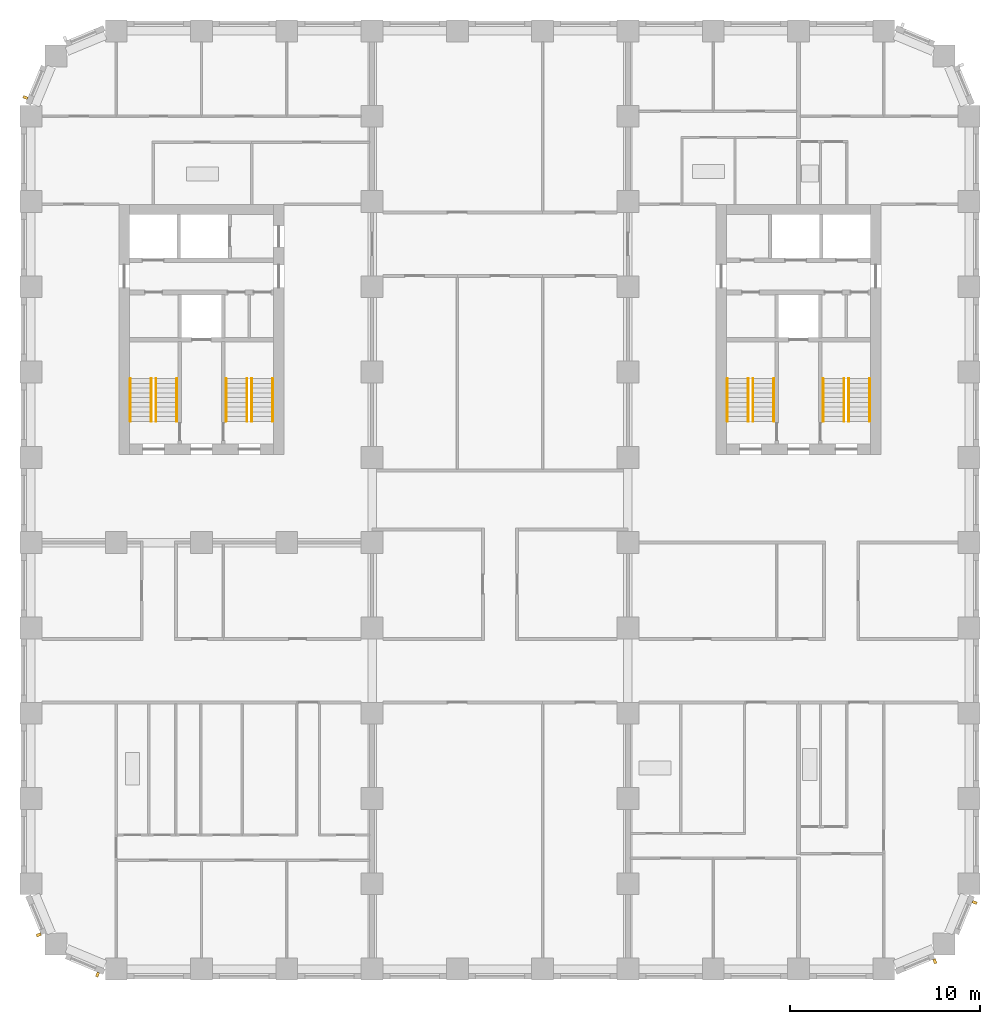
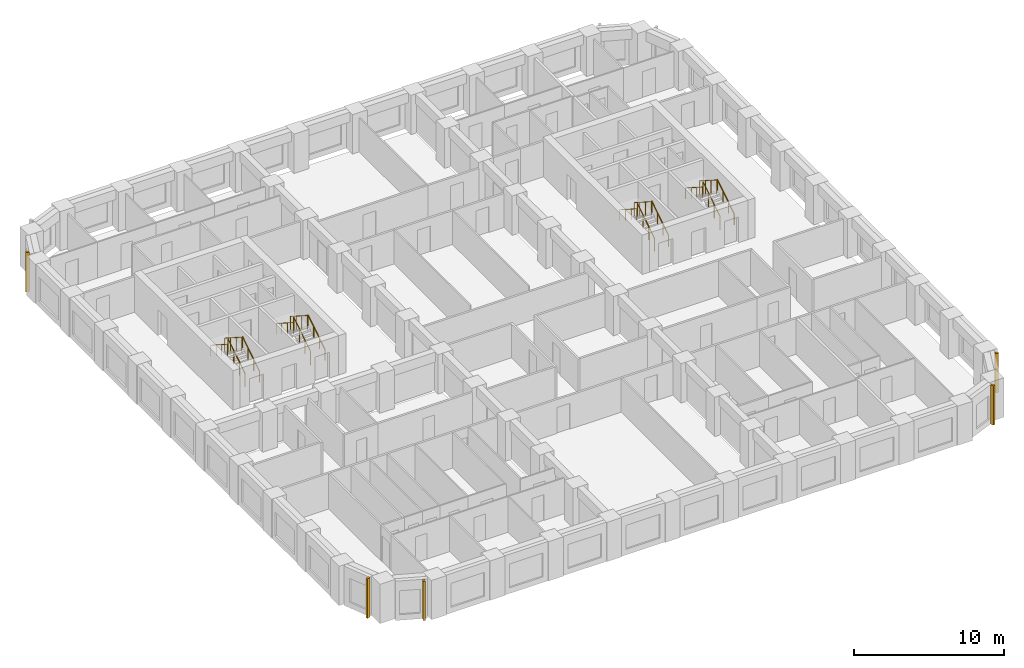
# One storey, part 11 of 13: 16 railings, 5 shading devices.
"""IFC4 building model written with IfcOpenShell, lengths in metres."""

from ifc_helpers import new_model, si_unit, direction, frame, origin, origin_2d, place, context, subcontext, project, spatial, rectangle, circle, extrude, material, type_object, element, save


model = new_model("IFC4")

# Units and contexts
model_context = context("Model", 3, precision=1e-05, world=origin(), true_north=direction((0.0, 1.0)))
body_context = subcontext(model_context, "Body", "Model", "MODEL_VIEW")
ifc_project = project(units=[si_unit("LENGTHUNIT", "METRE"), si_unit("AREAUNIT", "SQUARE_METRE"), si_unit("VOLUMEUNIT", "CUBIC_METRE"), si_unit("PLANEANGLEUNIT", "RADIAN"), si_unit("MASSUNIT", "GRAM", prefix="KILO")], contexts=[model_context])

# Site, building, storey
site_placement = place(None, origin())
site = spatial("IfcSite", under=ifc_project, at=site_placement, CompositionType="ELEMENT")
building_placement = place(site_placement, origin())
building = spatial("IfcBuilding", under=site, at=building_placement, Name="Girih Gate Residences", CompositionType="ELEMENT")
storey_placement = place(building_placement, frame((0.0, 0.0, 105.60009765625)))
storey = spatial("IfcBuildingStorey", under=building, at=storey_placement, Name="L29", CompositionType="ELEMENT", Elevation=105.60009765625)

# Shading devices
ifc_material_1 = material(Name="Precast concrete C50/60", Category="concrete")
shading_device_type = type_object("IfcShadingDeviceType", Name="Corner rib 150x250", PredefinedType="USERDEFINED", material=ifc_material_1)
for number, where, z_axis, x_axis, name in (
    (1, (0.412353515625, 1.8056640625, 0.0), (0.0, 0.0, 1.0), (0.382683432365, -0.923879532511, 0.0), "Corner rib SW0000_0045.0"),
    (2, (3.514892578125, -0.29541015625, 0.0), (0.0, 0.0, 1.0), (0.923879532511, -0.382683432365, 0.0), "Corner rib SW0013_0013.0"),
    (3, (47.6943359375, 0.412353515625, 0.0), (0.0, 0.0, 1.0), (0.923879532511, 0.382683432365, 0.0), "Corner rib SE0450_0000.0"),
    (4, (49.79541015625, 3.514892578125, 0.0), (0.0, 0.0, 1.0), (0.382683432365, 0.923879532511, 0.0), "Corner rib SE0482_0013.0"),
    (5, (-0.29541015625, 45.985107421875, 0.0), (0.0, 0.0, 1.0), (-0.382683432365, -0.923879532511, 0.0), "Corner rib NW0013_0482.0"),
):
    element("IfcShadingDevice", number, at=place(storey_placement, frame(where, z_axis=z_axis, x_axis=x_axis)), inside=storey, type_object=shading_device_type, Name=name, ObjectType="FIN", PredefinedType="USERDEFINED", context=body_context, shape_type="SweptSolid", body=[
        extrude(rectangle(XDim=0.14990234375, YDim=0.25, at=origin_2d()), origin(), (0.0, 0.0, 1.0), 3.199951171875),
    ])

# Railings
ifc_material_2 = material(Name="Stainless steel", Category="steel")
railing_type_1 = type_object("IfcRailingType", Name="Stair guard 1100", PredefinedType="GUARDRAIL", material=ifc_material_2)
railing_1_placement = place(storey_placement, frame((6.60009765625, 28.89990234375, 0.159912109375)))
element("IfcRailing", 6, at=railing_1_placement, inside=storey, type_object=railing_type_1, Name="L29 ST-W1 stair guard 1", PredefinedType="GUARDRAIL", context=body_context, shape_type="SweptSolid", body=[
    extrude(circle(Radius=0.02392578125, at=origin_2d()), frame((0.0, 0.0, 1.076171875), z_axis=(0.0, 0.842281359387, 0.539038135598), x_axis=(-1.0, 0.0, 0.0)), (0.0, 0.0, 1.0), 2.67138671875),
    extrude(circle(Radius=0.02099609375, at=origin_2d()), origin(), (0.0, 0.0, 1.0), 1.052001953125),
    extrude(circle(Radius=0.02099609375, at=origin_2d()), frame((0.0, 0.75, 0.47998046875)), (0.0, 0.0, 1.0), 1.052001953125),
    extrude(circle(Radius=0.02099609375, at=origin_2d()), frame((0.0, 1.5, 0.9599609375)), (0.0, 0.0, 1.0), 1.052001953125),
    extrude(circle(Radius=0.02099609375, at=origin_2d()), frame((0.0, 2.25, 1.43994140625)), (0.0, 0.0, 1.0), 1.052001953125),
])
railing_2_placement = place(storey_placement, frame((6.35009765625, 31.14990234375, 1.760009765625)))
element("IfcRailing", 7, at=railing_2_placement, inside=storey, type_object=railing_type_1, Name="L29 ST-W1 stair guard 2", PredefinedType="GUARDRAIL", context=body_context, shape_type="SweptSolid", body=[
    extrude(circle(Radius=0.02392578125, at=origin_2d()), frame((0.0, 0.0, 1.076171875), z_axis=(0.0, -0.842281359387, 0.539038135598), x_axis=(1.0, 0.0, 0.0)), (0.0, 0.0, 1.0), 2.67138671875),
    extrude(circle(Radius=0.02099609375, at=origin_2d()), origin(), (0.0, 0.0, 1.0), 1.052001953125),
    extrude(circle(Radius=0.02099609375, at=origin_2d()), frame((0.0, -0.75, 0.47998046875)), (0.0, 0.0, 1.0), 1.052001953125),
    extrude(circle(Radius=0.02099609375, at=origin_2d()), frame((0.0, -1.5, 0.9599609375)), (0.0, 0.0, 1.0), 1.052001953125),
    extrude(circle(Radius=0.02099609375, at=origin_2d()), frame((0.0, -2.25, 1.43994140625)), (0.0, 0.0, 1.0), 1.052001953125),
])
railing_3_placement = place(storey_placement, frame((11.64990234375, 28.89990234375, 0.159912109375)))
element("IfcRailing", 8, at=railing_3_placement, inside=storey, type_object=railing_type_1, Name="L29 ST-W2 stair guard 1", PredefinedType="GUARDRAIL", context=body_context, shape_type="SweptSolid", body=[
    extrude(circle(Radius=0.02392578125, at=origin_2d()), frame((0.0, 0.0, 1.076171875), z_axis=(0.0, 0.842281359387, 0.539038135598), x_axis=(-1.0, 0.0, 0.0)), (0.0, 0.0, 1.0), 2.67138671875),
    extrude(circle(Radius=0.02099609375, at=origin_2d()), origin(), (0.0, 0.0, 1.0), 1.052001953125),
    extrude(circle(Radius=0.02099609375, at=origin_2d()), frame((0.0, 0.75, 0.47998046875)), (0.0, 0.0, 1.0), 1.052001953125),
    extrude(circle(Radius=0.02099609375, at=origin_2d()), frame((0.0, 1.5, 0.9599609375)), (0.0, 0.0, 1.0), 1.052001953125),
    extrude(circle(Radius=0.02099609375, at=origin_2d()), frame((0.0, 2.25, 1.43994140625)), (0.0, 0.0, 1.0), 1.052001953125),
])
railing_4_placement = place(storey_placement, frame((11.39990234375, 31.14990234375, 1.760009765625)))
element("IfcRailing", 9, at=railing_4_placement, inside=storey, type_object=railing_type_1, Name="L29 ST-W2 stair guard 2", PredefinedType="GUARDRAIL", context=body_context, shape_type="SweptSolid", body=[
    extrude(circle(Radius=0.02392578125, at=origin_2d()), frame((0.0, 0.0, 1.076171875), z_axis=(0.0, -0.842281359387, 0.539038135598), x_axis=(1.0, 0.0, 0.0)), (0.0, 0.0, 1.0), 2.67138671875),
    extrude(circle(Radius=0.02099609375, at=origin_2d()), origin(), (0.0, 0.0, 1.0), 1.052001953125),
    extrude(circle(Radius=0.02099609375, at=origin_2d()), frame((0.0, -0.75, 0.47998046875)), (0.0, 0.0, 1.0), 1.052001953125),
    extrude(circle(Radius=0.02099609375, at=origin_2d()), frame((0.0, -1.5, 0.9599609375)), (0.0, 0.0, 1.0), 1.052001953125),
    extrude(circle(Radius=0.02099609375, at=origin_2d()), frame((0.0, -2.25, 1.43994140625)), (0.0, 0.0, 1.0), 1.052001953125),
])
railing_5_placement = place(storey_placement, frame((43.14990234375, 28.89990234375, 0.159912109375)))
element("IfcRailing", 10, at=railing_5_placement, inside=storey, type_object=railing_type_1, Name="L29 ST-E1 stair guard 1", PredefinedType="GUARDRAIL", context=body_context, shape_type="SweptSolid", body=[
    extrude(circle(Radius=0.02392578125, at=origin_2d()), frame((0.0, 0.0, 1.076171875), z_axis=(0.0, 0.842281359387, 0.539038135598), x_axis=(-1.0, 0.0, 0.0)), (0.0, 0.0, 1.0), 2.67138671875),
    extrude(circle(Radius=0.02099609375, at=origin_2d()), origin(), (0.0, 0.0, 1.0), 1.052001953125),
    extrude(circle(Radius=0.02099609375, at=origin_2d()), frame((0.0, 0.75, 0.47998046875)), (0.0, 0.0, 1.0), 1.052001953125),
    extrude(circle(Radius=0.02099609375, at=origin_2d()), frame((0.0, 1.5, 0.9599609375)), (0.0, 0.0, 1.0), 1.052001953125),
    extrude(circle(Radius=0.02099609375, at=origin_2d()), frame((0.0, 2.25, 1.43994140625)), (0.0, 0.0, 1.0), 1.052001953125),
])
railing_6_placement = place(storey_placement, frame((42.89990234375, 31.14990234375, 1.760009765625)))
element("IfcRailing", 11, at=railing_6_placement, inside=storey, type_object=railing_type_1, Name="L29 ST-E1 stair guard 2", PredefinedType="GUARDRAIL", context=body_context, shape_type="SweptSolid", body=[
    extrude(circle(Radius=0.02392578125, at=origin_2d()), frame((0.0, 0.0, 1.076171875), z_axis=(0.0, -0.842281359387, 0.539038135598), x_axis=(1.0, 0.0, 0.0)), (0.0, 0.0, 1.0), 2.67138671875),
    extrude(circle(Radius=0.02099609375, at=origin_2d()), origin(), (0.0, 0.0, 1.0), 1.052001953125),
    extrude(circle(Radius=0.02099609375, at=origin_2d()), frame((0.0, -0.75, 0.47998046875)), (0.0, 0.0, 1.0), 1.052001953125),
    extrude(circle(Radius=0.02099609375, at=origin_2d()), frame((0.0, -1.5, 0.9599609375)), (0.0, 0.0, 1.0), 1.052001953125),
    extrude(circle(Radius=0.02099609375, at=origin_2d()), frame((0.0, -2.25, 1.43994140625)), (0.0, 0.0, 1.0), 1.052001953125),
])
railing_7_placement = place(storey_placement, frame((38.10009765625, 28.89990234375, 0.159912109375)))
element("IfcRailing", 12, at=railing_7_placement, inside=storey, type_object=railing_type_1, Name="L29 ST-E2 stair guard 1", PredefinedType="GUARDRAIL", context=body_context, shape_type="SweptSolid", body=[
    extrude(circle(Radius=0.02392578125, at=origin_2d()), frame((0.0, 0.0, 1.076171875), z_axis=(0.0, 0.842281359387, 0.539038135598), x_axis=(-1.0, 0.0, 0.0)), (0.0, 0.0, 1.0), 2.67138671875),
    extrude(circle(Radius=0.02099609375, at=origin_2d()), origin(), (0.0, 0.0, 1.0), 1.052001953125),
    extrude(circle(Radius=0.02099609375, at=origin_2d()), frame((0.0, 0.75, 0.47998046875)), (0.0, 0.0, 1.0), 1.052001953125),
    extrude(circle(Radius=0.02099609375, at=origin_2d()), frame((0.0, 1.5, 0.9599609375)), (0.0, 0.0, 1.0), 1.052001953125),
    extrude(circle(Radius=0.02099609375, at=origin_2d()), frame((0.0, 2.25, 1.43994140625)), (0.0, 0.0, 1.0), 1.052001953125),
])
railing_8_placement = place(storey_placement, frame((37.85009765625, 31.14990234375, 1.760009765625)))
element("IfcRailing", 13, at=railing_8_placement, inside=storey, type_object=railing_type_1, Name="L29 ST-E2 stair guard 2", PredefinedType="GUARDRAIL", context=body_context, shape_type="SweptSolid", body=[
    extrude(circle(Radius=0.02392578125, at=origin_2d()), frame((0.0, 0.0, 1.076171875), z_axis=(0.0, -0.842281359387, 0.539038135598), x_axis=(1.0, 0.0, 0.0)), (0.0, 0.0, 1.0), 2.67138671875),
    extrude(circle(Radius=0.02099609375, at=origin_2d()), origin(), (0.0, 0.0, 1.0), 1.052001953125),
    extrude(circle(Radius=0.02099609375, at=origin_2d()), frame((0.0, -0.75, 0.47998046875)), (0.0, 0.0, 1.0), 1.052001953125),
    extrude(circle(Radius=0.02099609375, at=origin_2d()), frame((0.0, -1.5, 0.9599609375)), (0.0, 0.0, 1.0), 1.052001953125),
    extrude(circle(Radius=0.02099609375, at=origin_2d()), frame((0.0, -2.25, 1.43994140625)), (0.0, 0.0, 1.0), 1.052001953125),
])
railing_type_2 = type_object("IfcRailingType", Name="Stair handrail 900", PredefinedType="HANDRAIL", material=ifc_material_2)
railing_9_placement = place(storey_placement, frame((7.699951171875, 28.89990234375, 0.159912109375)))
element("IfcRailing", 14, at=railing_9_placement, inside=storey, type_object=railing_type_2, Name="L29 ST-W1 stair handrail 1", PredefinedType="HANDRAIL", context=body_context, shape_type="SweptSolid", body=[
    extrude(circle(Radius=0.02392578125, at=origin_2d()), frame((0.0, 0.0, 0.8857421875), z_axis=(0.0, 0.842281359387, 0.539038135598), x_axis=(-1.0, 0.0, 0.0)), (0.0, 0.0, 1.0), 2.67138671875),
    extrude(circle(Radius=0.02099609375, at=origin_2d()), origin(), (0.0, 0.0, 1.0), 0.86181640625),
    extrude(circle(Radius=0.02099609375, at=origin_2d()), frame((0.0, 0.75, 0.47998046875)), (0.0, 0.0, 1.0), 0.86181640625),
    extrude(circle(Radius=0.02099609375, at=origin_2d()), frame((0.0, 1.5, 0.9599609375)), (0.0, 0.0, 1.0), 0.86181640625),
    extrude(circle(Radius=0.02099609375, at=origin_2d()), frame((0.0, 2.25, 1.43994140625)), (0.0, 0.0, 1.0), 0.86181640625),
])
railing_10_placement = place(storey_placement, frame((5.25, 31.14990234375, 1.760009765625)))
element("IfcRailing", 15, at=railing_10_placement, inside=storey, type_object=railing_type_2, Name="L29 ST-W1 stair handrail 2", PredefinedType="HANDRAIL", context=body_context, shape_type="SweptSolid", body=[
    extrude(circle(Radius=0.02392578125, at=origin_2d()), frame((0.0, 0.0, 0.8857421875), z_axis=(0.0, -0.842281359387, 0.539038135598), x_axis=(1.0, 0.0, 0.0)), (0.0, 0.0, 1.0), 2.67138671875),
    extrude(circle(Radius=0.02099609375, at=origin_2d()), origin(), (0.0, 0.0, 1.0), 0.86181640625),
    extrude(circle(Radius=0.02099609375, at=origin_2d()), frame((0.0, -0.75, 0.47998046875)), (0.0, 0.0, 1.0), 0.86181640625),
    extrude(circle(Radius=0.02099609375, at=origin_2d()), frame((0.0, -1.5, 0.9599609375)), (0.0, 0.0, 1.0), 0.86181640625),
    extrude(circle(Radius=0.02099609375, at=origin_2d()), frame((0.0, -2.25, 1.43994140625)), (0.0, 0.0, 1.0), 0.86181640625),
])
railing_11_placement = place(storey_placement, frame((12.75, 28.89990234375, 0.159912109375)))
element("IfcRailing", 16, at=railing_11_placement, inside=storey, type_object=railing_type_2, Name="L29 ST-W2 stair handrail 1", PredefinedType="HANDRAIL", context=body_context, shape_type="SweptSolid", body=[
    extrude(circle(Radius=0.02392578125, at=origin_2d()), frame((0.0, 0.0, 0.8857421875), z_axis=(0.0, 0.842281359387, 0.539038135598), x_axis=(-1.0, 0.0, 0.0)), (0.0, 0.0, 1.0), 2.67138671875),
    extrude(circle(Radius=0.02099609375, at=origin_2d()), origin(), (0.0, 0.0, 1.0), 0.86181640625),
    extrude(circle(Radius=0.02099609375, at=origin_2d()), frame((0.0, 0.75, 0.47998046875)), (0.0, 0.0, 1.0), 0.86181640625),
    extrude(circle(Radius=0.02099609375, at=origin_2d()), frame((0.0, 1.5, 0.9599609375)), (0.0, 0.0, 1.0), 0.86181640625),
    extrude(circle(Radius=0.02099609375, at=origin_2d()), frame((0.0, 2.25, 1.43994140625)), (0.0, 0.0, 1.0), 0.86181640625),
])
railing_12_placement = place(storey_placement, frame((10.300048828125, 31.14990234375, 1.760009765625)))
element("IfcRailing", 17, at=railing_12_placement, inside=storey, type_object=railing_type_2, Name="L29 ST-W2 stair handrail 2", PredefinedType="HANDRAIL", context=body_context, shape_type="SweptSolid", body=[
    extrude(circle(Radius=0.02392578125, at=origin_2d()), frame((0.0, 0.0, 0.8857421875), z_axis=(0.0, -0.842281359387, 0.539038135598), x_axis=(1.0, 0.0, 0.0)), (0.0, 0.0, 1.0), 2.67138671875),
    extrude(circle(Radius=0.02099609375, at=origin_2d()), origin(), (0.0, 0.0, 1.0), 0.86181640625),
    extrude(circle(Radius=0.02099609375, at=origin_2d()), frame((0.0, -0.75, 0.47998046875)), (0.0, 0.0, 1.0), 0.86181640625),
    extrude(circle(Radius=0.02099609375, at=origin_2d()), frame((0.0, -1.5, 0.9599609375)), (0.0, 0.0, 1.0), 0.86181640625),
    extrude(circle(Radius=0.02099609375, at=origin_2d()), frame((0.0, -2.25, 1.43994140625)), (0.0, 0.0, 1.0), 0.86181640625),
])
railing_13_placement = place(storey_placement, frame((44.25, 28.89990234375, 0.159912109375)))
element("IfcRailing", 18, at=railing_13_placement, inside=storey, type_object=railing_type_2, Name="L29 ST-E1 stair handrail 1", PredefinedType="HANDRAIL", context=body_context, shape_type="SweptSolid", body=[
    extrude(circle(Radius=0.02392578125, at=origin_2d()), frame((0.0, 0.0, 0.8857421875), z_axis=(0.0, 0.842281359387, 0.539038135598), x_axis=(-1.0, 0.0, 0.0)), (0.0, 0.0, 1.0), 2.67138671875),
    extrude(circle(Radius=0.02099609375, at=origin_2d()), origin(), (0.0, 0.0, 1.0), 0.86181640625),
    extrude(circle(Radius=0.02099609375, at=origin_2d()), frame((0.0, 0.75, 0.47998046875)), (0.0, 0.0, 1.0), 0.86181640625),
    extrude(circle(Radius=0.02099609375, at=origin_2d()), frame((0.0, 1.5, 0.9599609375)), (0.0, 0.0, 1.0), 0.86181640625),
    extrude(circle(Radius=0.02099609375, at=origin_2d()), frame((0.0, 2.25, 1.43994140625)), (0.0, 0.0, 1.0), 0.86181640625),
])
railing_14_placement = place(storey_placement, frame((41.800048828125, 31.14990234375, 1.760009765625)))
element("IfcRailing", 19, at=railing_14_placement, inside=storey, type_object=railing_type_2, Name="L29 ST-E1 stair handrail 2", PredefinedType="HANDRAIL", context=body_context, shape_type="SweptSolid", body=[
    extrude(circle(Radius=0.02392578125, at=origin_2d()), frame((0.0, 0.0, 0.8857421875), z_axis=(0.0, -0.842281359387, 0.539038135598), x_axis=(1.0, 0.0, 0.0)), (0.0, 0.0, 1.0), 2.67138671875),
    extrude(circle(Radius=0.02099609375, at=origin_2d()), origin(), (0.0, 0.0, 1.0), 0.86181640625),
    extrude(circle(Radius=0.02099609375, at=origin_2d()), frame((0.0, -0.75, 0.47998046875)), (0.0, 0.0, 1.0), 0.86181640625),
    extrude(circle(Radius=0.02099609375, at=origin_2d()), frame((0.0, -1.5, 0.9599609375)), (0.0, 0.0, 1.0), 0.86181640625),
    extrude(circle(Radius=0.02099609375, at=origin_2d()), frame((0.0, -2.25, 1.43994140625)), (0.0, 0.0, 1.0), 0.86181640625),
])
railing_15_placement = place(storey_placement, frame((39.199951171875, 28.89990234375, 0.159912109375)))
element("IfcRailing", 20, at=railing_15_placement, inside=storey, type_object=railing_type_2, Name="L29 ST-E2 stair handrail 1", PredefinedType="HANDRAIL", context=body_context, shape_type="SweptSolid", body=[
    extrude(circle(Radius=0.02392578125, at=origin_2d()), frame((0.0, 0.0, 0.8857421875), z_axis=(0.0, 0.842281359387, 0.539038135598), x_axis=(-1.0, 0.0, 0.0)), (0.0, 0.0, 1.0), 2.67138671875),
    extrude(circle(Radius=0.02099609375, at=origin_2d()), origin(), (0.0, 0.0, 1.0), 0.86181640625),
    extrude(circle(Radius=0.02099609375, at=origin_2d()), frame((0.0, 0.75, 0.47998046875)), (0.0, 0.0, 1.0), 0.86181640625),
    extrude(circle(Radius=0.02099609375, at=origin_2d()), frame((0.0, 1.5, 0.9599609375)), (0.0, 0.0, 1.0), 0.86181640625),
    extrude(circle(Radius=0.02099609375, at=origin_2d()), frame((0.0, 2.25, 1.43994140625)), (0.0, 0.0, 1.0), 0.86181640625),
])
railing_16_placement = place(storey_placement, frame((36.75, 31.14990234375, 1.760009765625)))
element("IfcRailing", 21, at=railing_16_placement, inside=storey, type_object=railing_type_2, Name="L29 ST-E2 stair handrail 2", PredefinedType="HANDRAIL", context=body_context, shape_type="SweptSolid", body=[
    extrude(circle(Radius=0.02392578125, at=origin_2d()), frame((0.0, 0.0, 0.8857421875), z_axis=(0.0, -0.842281359387, 0.539038135598), x_axis=(1.0, 0.0, 0.0)), (0.0, 0.0, 1.0), 2.67138671875),
    extrude(circle(Radius=0.02099609375, at=origin_2d()), origin(), (0.0, 0.0, 1.0), 0.86181640625),
    extrude(circle(Radius=0.02099609375, at=origin_2d()), frame((0.0, -0.75, 0.47998046875)), (0.0, 0.0, 1.0), 0.86181640625),
    extrude(circle(Radius=0.02099609375, at=origin_2d()), frame((0.0, -1.5, 0.9599609375)), (0.0, 0.0, 1.0), 0.86181640625),
    extrude(circle(Radius=0.02099609375, at=origin_2d()), frame((0.0, -2.25, 1.43994140625)), (0.0, 0.0, 1.0), 0.86181640625),
])

save(model, "model.ifc")
